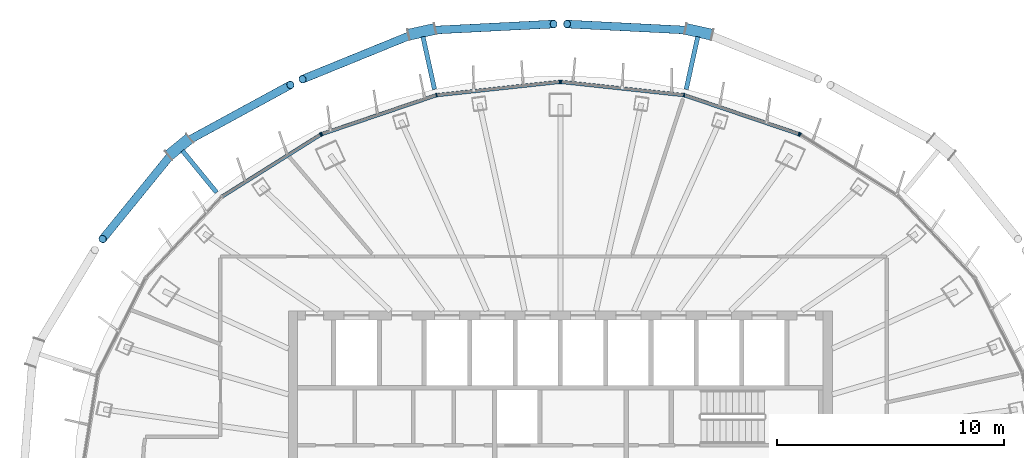
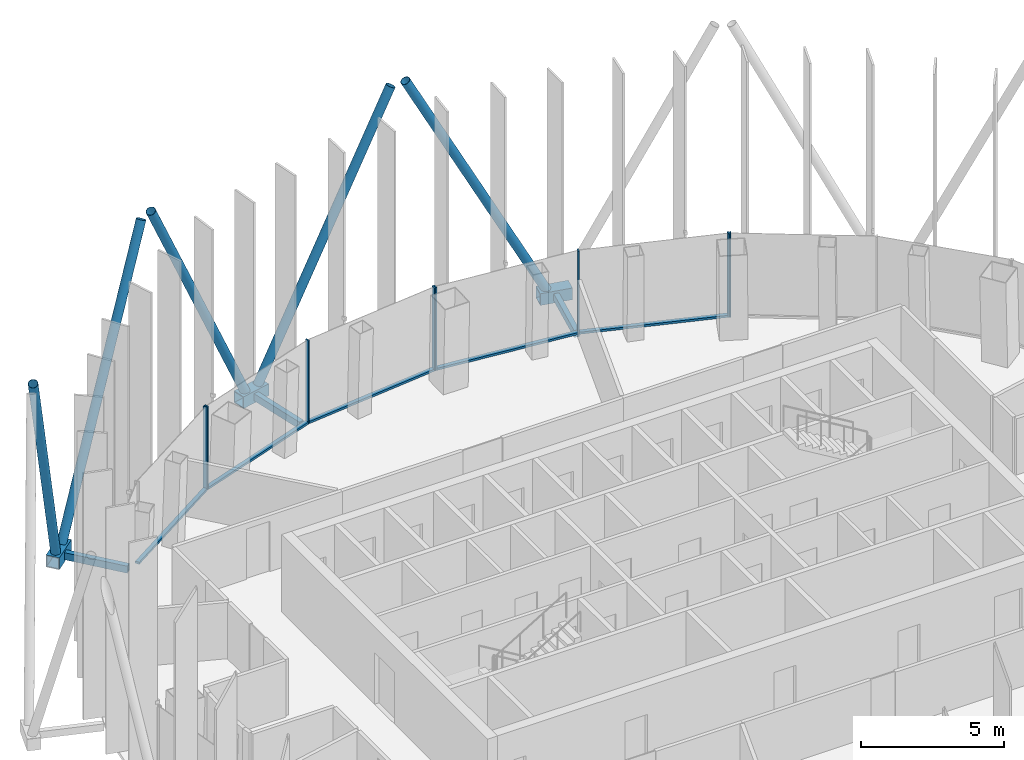
# One storey, part 7 of 19: 24 members, 4 elements without a shape of their own.
"""IFC4 building model written with IfcOpenShell, lengths in metres."""

from ifc_helpers import new_model, si_unit, direction, frame, origin, origin_2d, place, context, subcontext, project, spatial, rectangle, hollow_rectangle, hollow_circle, extrude, material, layer, layer_set, material_profile, profile_set, type_object, element, aggregate, save


model = new_model("IFC4")

# Units and contexts
model_context = context("Model", 3, precision=1e-05, world=origin(), true_north=direction((0.0, 1.0)))
body_context = subcontext(model_context, "Body", "Model", "MODEL_VIEW")
ifc_project = project(units=[si_unit("LENGTHUNIT", "METRE"), si_unit("AREAUNIT", "SQUARE_METRE"), si_unit("VOLUMEUNIT", "CUBIC_METRE"), si_unit("PLANEANGLEUNIT", "RADIAN"), si_unit("MASSUNIT", "GRAM", prefix="KILO")], contexts=[model_context])

# Site, building, storey
site_placement = place(None, origin())
site = spatial("IfcSite", under=ifc_project, at=site_placement, CompositionType="ELEMENT")
building_placement = place(site_placement, origin())
building = spatial("IfcBuilding", under=site, at=building_placement, Name="Siaravel Broadcast Tower", CompositionType="ELEMENT")
storey_placement = place(building_placement, frame((0.0, 0.0, 239.300048828125)))
storey = spatial("IfcBuildingStorey", under=building, at=storey_placement, Name="L58", CompositionType="ELEMENT", Elevation=239.300048828125)

# Curtain wall, member
ifc_material_1 = material(Name="Aluminium 6063-T6", Category="aluminium")
ifc_layer = layer(ifc_material_1, 0.159912109375)
ifc_layer_set = layer_set([ifc_layer], Name="Aluminium 6063-T6")
curtain_wall_type = type_object("IfcCurtainWallType", Name="Unitised curtain wall, zone 4", PredefinedType="NOTDEFINED", material=ifc_layer_set)
curtain_wall_1_placement = place(storey_placement, origin())
curtain_wall_1 = element("IfcCurtainWall", 1, at=curtain_wall_1_placement, inside=storey, type_object=curtain_wall_type, Name="L58 Unitised curtain wall, zone 4 02", PredefinedType="NOTDEFINED")
ifc_material_profile_1 = material_profile(ifc_material_1, rectangle(XDim=0.159912109375, YDim=0.054931640625, at=origin_2d()))
ifc_profile_set_1 = profile_set([ifc_material_profile_1], Name="Aluminium 6063-T6")
member_type_1 = type_object("IfcMemberType", Name="CW-Z4 mullion", PredefinedType="MULLION", material=ifc_profile_set_1)
member_1_placement = place(storey_placement, frame((10.57861328125, 14.9755859375, 0.0), z_axis=(0.0, 0.0, 1.0), x_axis=(-0.532150463, -0.846649801, 0.0)))
member_1 = element("IfcMember", 2, at=member_1_placement, type_object=member_type_1, Name="CW-Z4 mullion 3", PredefinedType="MULLION", context=body_context, shape_type="SweptSolid", body=[
    extrude(rectangle(XDim=0.159912109375, YDim=0.054931640625, at=origin_2d()), origin(), (0.0, 0.0, 1.0), 3.550048828125),
])
aggregate(curtain_wall_1, [member_1])

# Curtain wall, members
curtain_wall_2_placement = place(storey_placement, origin())
curtain_wall_2 = element("IfcCurtainWall", 3, at=curtain_wall_2_placement, inside=storey, type_object=curtain_wall_type, Name="L58 Unitised curtain wall, zone 4 03", PredefinedType="NOTDEFINED")
member_2_placement = place(storey_placement, frame((10.529296875, 14.998779296875, 0.0), z_axis=(0.0, 0.0, 1.0), x_axis=(-0.321301466, -0.946976963, 0.0)))
member_2 = element("IfcMember", 4, at=member_2_placement, type_object=member_type_1, Name="CW-Z4 mullion 1", PredefinedType="MULLION", context=body_context, shape_type="SweptSolid", body=[
    extrude(rectangle(XDim=0.159912109375, YDim=0.054931640625, at=origin_2d()), origin(), (0.0, 0.0, 1.0), 3.550048828125),
])
member_3_placement = place(storey_placement, frame((5.46337890625, 16.7177734375, 0.0), z_axis=(0.0, 0.0, 1.0), x_axis=(-0.215558647, -0.976490896, 0.0)))
member_3 = element("IfcMember", 5, at=member_3_placement, type_object=member_type_1, Name="CW-Z4 mullion 2", PredefinedType="MULLION", context=body_context, shape_type="SweptSolid", body=[
    extrude(rectangle(XDim=0.159912109375, YDim=0.054931640625, at=origin_2d()), origin(), (0.0, 0.0, 1.0), 3.550048828125),
])
member_4_placement = place(storey_placement, frame((0.02734375, 17.303955078125, 0.0), z_axis=(0.0, 0.0, 1.0), x_axis=(-0.107217782, -0.994235559, 0.0)))
member_4 = element("IfcMember", 6, at=member_4_placement, type_object=member_type_1, Name="CW-Z4 mullion 3", PredefinedType="MULLION", context=body_context, shape_type="SweptSolid", body=[
    extrude(rectangle(XDim=0.159912109375, YDim=0.054931640625, at=origin_2d()), origin(), (0.0, 0.0, 1.0), 3.550048828125),
])

curtain_wall_3_placement = place(storey_placement, origin())
curtain_wall_3 = element("IfcCurtainWall", 7, at=curtain_wall_3_placement, inside=storey, type_object=curtain_wall_type, Name="L58 Unitised curtain wall, zone 4 04", PredefinedType="NOTDEFINED")
member_5_placement = place(storey_placement, frame((-0.02734375, 17.303955078125, 0.0), z_axis=(0.0, 0.0, 1.0), x_axis=(0.107217782, -0.994235559, 0.0)))
member_5 = element("IfcMember", 8, at=member_5_placement, type_object=member_type_1, Name="CW-Z4 mullion 1", PredefinedType="MULLION", context=body_context, shape_type="SweptSolid", body=[
    extrude(rectangle(XDim=0.159912109375, YDim=0.054931640625, at=origin_2d()), origin(), (0.0, 0.0, 1.0), 3.550048828125),
])
member_6_placement = place(storey_placement, frame((-5.46337890625, 16.7177734375, 0.0), z_axis=(0.0, 0.0, 1.0), x_axis=(0.215558647, -0.976490896, 0.0)))
member_6 = element("IfcMember", 9, at=member_6_placement, type_object=member_type_1, Name="CW-Z4 mullion 2", PredefinedType="MULLION", context=body_context, shape_type="SweptSolid", body=[
    extrude(rectangle(XDim=0.159912109375, YDim=0.054931640625, at=origin_2d()), origin(), (0.0, 0.0, 1.0), 3.550048828125),
])
member_7_placement = place(storey_placement, frame((-10.529296875, 14.998779296875, 0.0), z_axis=(0.0, 0.0, 1.0), x_axis=(0.321301466, -0.946976963, 0.0)))
member_7 = element("IfcMember", 10, at=member_7_placement, type_object=member_type_1, Name="CW-Z4 mullion 3", PredefinedType="MULLION", context=body_context, shape_type="SweptSolid", body=[
    extrude(rectangle(XDim=0.159912109375, YDim=0.054931640625, at=origin_2d()), origin(), (0.0, 0.0, 1.0), 3.550048828125),
])

# Curtain wall, member
curtain_wall_4_placement = place(storey_placement, origin())
curtain_wall_4 = element("IfcCurtainWall", 11, at=curtain_wall_4_placement, inside=storey, type_object=curtain_wall_type, Name="L58 Unitised curtain wall, zone 4 05", PredefinedType="NOTDEFINED")
member_8_placement = place(storey_placement, frame((-10.57861328125, 14.9755859375, 0.0), z_axis=(0.0, 0.0, 1.0), x_axis=(0.532150463, -0.846649801, 0.0)))
member_8 = element("IfcMember", 12, at=member_8_placement, type_object=member_type_1, Name="CW-Z4 mullion 1", PredefinedType="MULLION", context=body_context, shape_type="SweptSolid", body=[
    extrude(rectangle(XDim=0.159912109375, YDim=0.054931640625, at=origin_2d()), origin(), (0.0, 0.0, 1.0), 3.550048828125),
])

# Member
ifc_material_profile_2 = material_profile(ifc_material_1, rectangle(XDim=0.159912109375, YDim=0.090087890625, at=origin_2d()))
ifc_profile_set_2 = profile_set([ifc_material_profile_2], Name="Aluminium 6063-T6")
member_type_2 = type_object("IfcMemberType", Name="CW-Z4 transom", PredefinedType="USERDEFINED", material=ifc_profile_set_2)
member_9_placement = place(storey_placement, frame((10.503173828125, 15.0078125, 0.044921875), z_axis=(-0.946972687, 0.321314067, 0.0), x_axis=(-0.321314067, -0.946972687, 0.0)))
member_9 = element("IfcMember", 13, at=member_9_placement, type_object=member_type_2, Name="CW-Z4 transom 1", ObjectType="TRANSOM", PredefinedType="USERDEFINED", context=body_context, shape_type="SweptSolid", body=[
    extrude(rectangle(XDim=0.159912109375, YDim=0.090087890625, at=origin_2d()), origin(), (0.0, 0.0, 1.0), 5.29443359375),
])

member_10_placement = place(storey_placement, frame((5.43603515625, 16.720703125, 0.044921875), z_axis=(-0.994235542, 0.107217942, 0.0), x_axis=(-0.107217942, -0.994235542, 0.0)))
member_10 = element("IfcMember", 14, at=member_10_placement, type_object=member_type_2, Name="CW-Z4 transom 2", ObjectType="TRANSOM", PredefinedType="USERDEFINED", context=body_context, shape_type="SweptSolid", body=[
    extrude(rectangle(XDim=0.159912109375, YDim=0.090087890625, at=origin_2d()), origin(), (0.0, 0.0, 1.0), 5.41259765625),
])

aggregate(curtain_wall_2, [member_2, member_3, member_4, member_9, member_10])

member_11_placement = place(storey_placement, frame((-0.0546875, 17.301025390625, 0.044921875), z_axis=(-0.994235542, -0.107217942, 0.0), x_axis=(0.107217942, -0.994235542, 0.0)))
member_11 = element("IfcMember", 15, at=member_11_placement, type_object=member_type_2, Name="CW-Z4 transom 1", ObjectType="TRANSOM", PredefinedType="USERDEFINED", context=body_context, shape_type="SweptSolid", body=[
    extrude(rectangle(XDim=0.159912109375, YDim=0.090087890625, at=origin_2d()), origin(), (0.0, 0.0, 1.0), 5.41259765625),
])

member_12_placement = place(storey_placement, frame((-5.489501953125, 16.708984375, 0.044921875), z_axis=(-0.946972687, -0.321314067, 0.0), x_axis=(0.321314067, -0.946972687, 0.0)))
member_12 = element("IfcMember", 16, at=member_12_placement, type_object=member_type_2, Name="CW-Z4 transom 2", ObjectType="TRANSOM", PredefinedType="USERDEFINED", context=body_context, shape_type="SweptSolid", body=[
    extrude(rectangle(XDim=0.159912109375, YDim=0.090087890625, at=origin_2d()), origin(), (0.0, 0.0, 1.0), 5.29443359375),
])

aggregate(curtain_wall_3, [member_5, member_6, member_7, member_11, member_12])

member_13_placement = place(storey_placement, frame((-10.601806640625, 14.960693359375, 0.044921875), z_axis=(-0.84666808, -0.532121379, 0.0), x_axis=(0.532121379, -0.84666808, 0.0)))
member_13 = element("IfcMember", 17, at=member_13_placement, type_object=member_type_2, Name="CW-Z4 transom 1", ObjectType="TRANSOM", PredefinedType="USERDEFINED", context=body_context, shape_type="SweptSolid", body=[
    extrude(rectangle(XDim=0.159912109375, YDim=0.090087890625, at=origin_2d()), origin(), (0.0, 0.0, 1.0), 5.0830078125),
])

aggregate(curtain_wall_4, [member_8, member_13])

# Members
ifc_material_2 = material(Name="Steel S460", Category="steel")
ifc_material_profile_3 = material_profile(ifc_material_2, hollow_circle(Radius=0.177734375, WallThickness=0.012451171875, at=origin_2d()))
ifc_profile_set_3 = profile_set([ifc_material_profile_3], Name="Steel S460")
member_type_3 = type_object("IfcMemberType", Name="Diagrid diagonal CHS 355.6x12.5", PredefinedType="BRACE", material=ifc_profile_set_3)
for number, where, z_axis, x_axis, name in (
    (18, (5.82080078125, 19.57568359375, 0.02001953125), (-0.460045548, 0.023417987, 0.887586442), (-0.050837805, -0.998706923, 0.0), "Diagrid diagonal R24 station 15A"),
    (19, (-5.82080078125, 19.57568359375, 0.02001953125), (0.460045548, 0.023417987, 0.887586442), (-0.050837805, 0.998706923, 0.0), "Diagrid diagonal R24 station 21C"),
):
    element("IfcMember", number, at=place(storey_placement, frame(where, z_axis=z_axis, x_axis=x_axis)), inside=storey, type_object=member_type_3, Name=name, PredefinedType="BRACE", context=body_context, shape_type="SweptSolid", body=[
        extrude(hollow_circle(Radius=0.177734375, WallThickness=0.012451171875, at=origin_2d()), origin(), (0.0, 0.0, 1.0), 12.010009765625),
    ])
member_14_placement = place(storey_placement, frame((-6.398193359375, 19.448974609375, 0.02001953125), z_axis=(-0.417112386, -0.169805925, 0.892851167), x_axis=(0.377051682, -0.926192221, 0.0)))
element("IfcMember", 20, at=member_14_placement, inside=storey, type_object=member_type_3, Name="Diagrid diagonal R24 station 21A", PredefinedType="BRACE", context=body_context, shape_type="SweptSolid", body=[
    extrude(hollow_circle(Radius=0.177734375, WallThickness=0.012451171875, at=origin_2d()), origin(), (0.0, 0.0, 1.0), 11.939208984375),
])
member_15_placement = place(storey_placement, frame((-16.587646484375, 14.623779296875, 0.02001953125), z_axis=(0.392366041, 0.2136099, 0.89466178), x_axis=(-0.478148218, 0.878279159, 0.0)))
element("IfcMember", 21, at=member_15_placement, inside=storey, type_object=member_type_3, Name="Diagrid diagonal R24 station 27C", PredefinedType="BRACE", context=body_context, shape_type="SweptSolid", body=[
    extrude(hollow_circle(Radius=0.177734375, WallThickness=0.012451171875, at=origin_2d()), origin(), (0.0, 0.0, 1.0), 11.9150390625),
])
member_16_placement = place(storey_placement, frame((-17.045166015625, 14.2490234375, 0.02001953125), z_axis=(-0.267942774, -0.329605067, 0.905299492), x_axis=(0.775954218, -0.630789229, 0.0)))
element("IfcMember", 22, at=member_16_placement, inside=storey, type_object=member_type_3, Name="Diagrid diagonal R24 station 27A", PredefinedType="BRACE", context=body_context, shape_type="SweptSolid", body=[
    extrude(hollow_circle(Radius=0.177734375, WallThickness=0.012451171875, at=origin_2d()), origin(), (0.0, 0.0, 1.0), 11.77490234375),
])
ifc_material_profile_4 = material_profile(ifc_material_2, hollow_rectangle(XDim=0.5, YDim=0.5, WallThickness=0.031982421875, at=origin_2d()))
ifc_profile_set_4 = profile_set([ifc_material_profile_4], Name="Steel S460")
member_type_4 = type_object("IfcMemberType", Name="Diagrid node BOX 500x500x32", PredefinedType="USERDEFINED", material=ifc_profile_set_4)
for number, where, z_axis, x_axis, name in (
    (23, (6.689208984375, 19.38525390625, -0.199951171875), (-0.97675485, 0.214359426, 0.0), (-0.214359426, -0.97675485, 0.0), "Diagrid node R24 station 15"),
    (24, (-5.530029296875, 19.6396484375, -0.199951171875), (-0.97675485, -0.214359426, 0.0), (0.214359426, -0.97675485, 0.0), "Diagrid node R24 station 21"),
    (25, (-16.357421875, 14.8125, -0.199951171875), (-0.773489646, -0.633808936, 0.0), (0.633808936, -0.773489646, 0.0), "Diagrid node R24 station 27"),
):
    element("IfcMember", number, at=place(storey_placement, frame(where, z_axis=z_axis, x_axis=x_axis)), inside=storey, type_object=member_type_4, Name=name, ObjectType="DIAGRID NODE", PredefinedType="USERDEFINED", context=body_context, shape_type="SweptSolid", body=[
        extrude(hollow_rectangle(XDim=0.5, YDim=0.5, WallThickness=0.031982421875, at=origin_2d()), origin(), (0.0, 0.0, 1.0), 1.186767578125),
    ])
ifc_material_profile_5 = material_profile(ifc_material_2, hollow_rectangle(XDim=0.199951171875, YDim=0.300048828125, WallThickness=0.012451171875, at=origin_2d()))
ifc_profile_set_5 = profile_set([ifc_material_profile_5], Name="Steel S460")
member_type_5 = type_object("IfcMemberType", Name="Diagrid node arm RHS 300x200x12.5", PredefinedType="STRUT", material=ifc_profile_set_5)
for number, where, z_axis, x_axis, name in (
    (26, (5.55224609375, 16.972900390625, -0.199951171875), (0.2143882, 0.976748535, 0.0), (-0.976748535, 0.2143882, 0.0), "Node arm R24 station 15"),
    (27, (-5.55224609375, 16.972900390625, -0.199951171875), (-0.2143882, 0.976748535, 0.0), (-0.976748535, -0.2143882, 0.0), "Node arm R24 station 21"),
):
    element("IfcMember", number, at=place(storey_placement, frame(where, z_axis=z_axis, x_axis=x_axis)), inside=storey, type_object=member_type_5, Name=name, PredefinedType="STRUT", context=body_context, shape_type="SweptSolid", body=[
        extrude(hollow_rectangle(XDim=0.199951171875, YDim=0.300048828125, WallThickness=0.012451171875, at=origin_2d()), origin(), (0.0, 0.0, 1.0), 2.380126953125),
    ])
member_17_placement = place(storey_placement, frame((-15.1689453125, 12.425048828125, -0.199951171875), z_axis=(-0.633673426, 0.773600665, 0.0), x_axis=(-0.773600665, -0.633673426, 0.0)))
element("IfcMember", 28, at=member_17_placement, inside=storey, type_object=member_type_5, Name="Node arm R24 station 27", PredefinedType="STRUT", context=body_context, shape_type="SweptSolid", body=[
    extrude(hollow_rectangle(XDim=0.199951171875, YDim=0.300048828125, WallThickness=0.012451171875, at=origin_2d()), origin(), (0.0, 0.0, 1.0), 2.3798828125),
])

save(model, "model.ifc")
